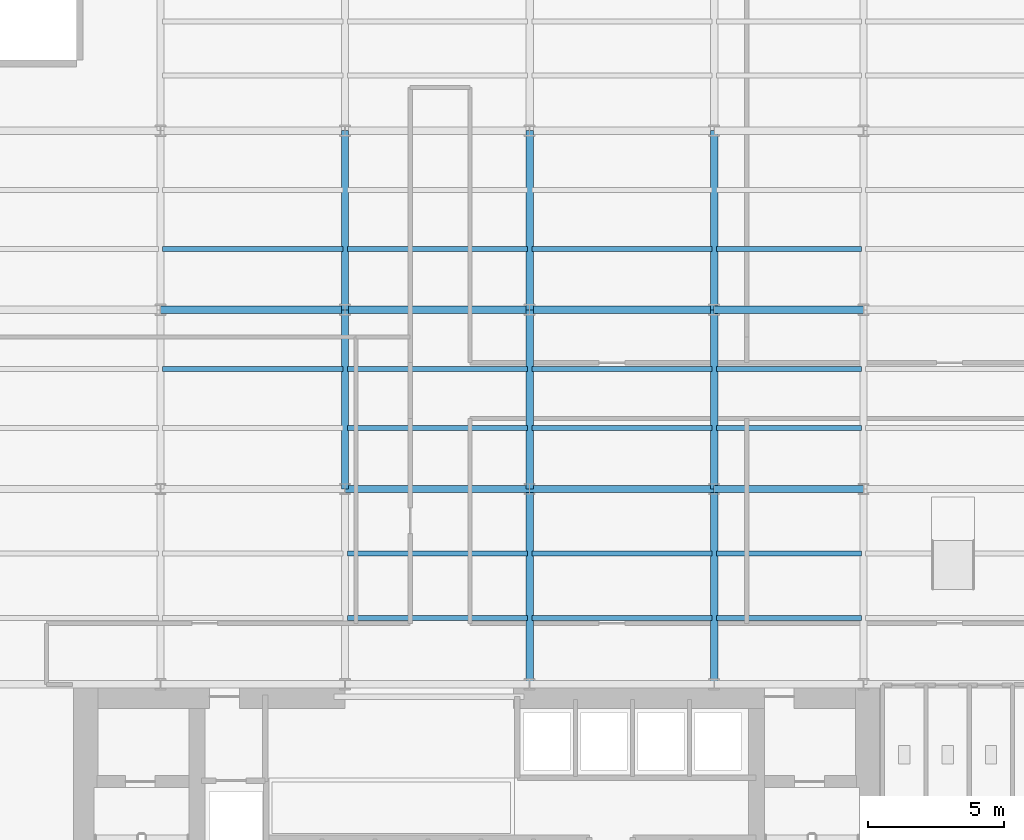
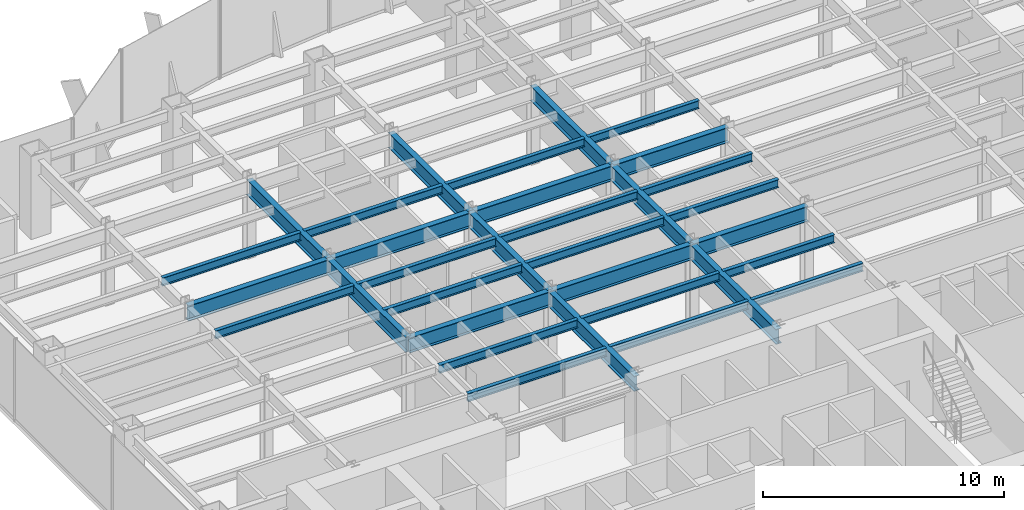
# One storey, part 7 of 35: 32 beams.
"""IFC4 building model written with IfcOpenShell, lengths in metres."""

from ifc_helpers import new_model, si_unit, derived_unit, direction, frame, origin, origin_2d, place, context, subcontext, project, spatial, i_section, extrude, source, transform, mapped, material, material_profile, profile_set, type_object, element, save


model = new_model("IFC4")

# Units and contexts
model_context = context("Model", 3, precision=1e-05, world=origin(), true_north=direction((0.0, 1.0)))
body_context = subcontext(model_context, "Body", "Model", "MODEL_VIEW")
ifc_project = project(units=[si_unit("LENGTHUNIT", "METRE"), si_unit("AREAUNIT", "SQUARE_METRE"), si_unit("VOLUMEUNIT", "CUBIC_METRE"), si_unit("PLANEANGLEUNIT", "RADIAN"), si_unit("MASSUNIT", "GRAM", prefix="KILO"), derived_unit("THERMALTRANSMITTANCEUNIT", [(si_unit("POWERUNIT", "WATT"), 1), (si_unit("LENGTHUNIT", "METRE"), -2), (si_unit("THERMODYNAMICTEMPERATUREUNIT", "KELVIN"), -1)])], contexts=[model_context])

# Site, building, storey
site_placement = place(None, origin())
site = spatial("IfcSite", under=ifc_project, at=site_placement, CompositionType="ELEMENT")
building_placement = place(site_placement, origin())
building = spatial("IfcBuilding", under=site, at=building_placement, Name="Skarnbrae Concourse Arena and Tower", CompositionType="ELEMENT")
storey_placement = place(building_placement, frame((0.0, 0.0, 79.949951171875)))
storey = spatial("IfcBuildingStorey", under=building, at=storey_placement, Name="L19", CompositionType="ELEMENT", Elevation=79.949951171875)

# Beams
ifc_material = material(Name="Steel CSA G40.21 350W", Category="steel")
ifc_material_profile_1 = material_profile(ifc_material, i_section(OverallWidth=0.26806640625, OverallDepth=0.77001953125, WebThickness=0.015625, FlangeThickness=0.025390625, at=origin_2d()), Name="W760X196")
ifc_profile_set_1 = profile_set([ifc_material_profile_1], Name="Steel CSA G40.21 350W")
beam_type_1 = type_object("IfcBeamType", Name="BM-GIRD-W760X196", PredefinedType="BEAM", material=ifc_profile_set_1)
shared_shape_1 = source(origin(), body_context, "Body", "SweptSolid", [
    extrude(i_section(OverallWidth=0.26806640625, OverallDepth=0.77001953125, WebThickness=0.015625, FlangeThickness=0.025390625, at=origin_2d()), origin(), (0.0, 0.0, 1.0), 6.60009765625),
])
for number, where, z_axis, x_axis, name in (
    (1, (14.39990234375, 21.199951171875, 3.51513671875), (0.0, 1.0, 0.0), (-1.0, 0.0, 0.0), "L19 Primary N-S girder X14.4-2"),
    (2, (21.199951171875, 21.199951171875, 3.51513671875), (0.0, 1.0, 0.0), (-1.0, 0.0, 0.0), "L19 Primary N-S girder X21.2-2"),
    (3, (28.0, 21.199951171875, 3.51513671875), (0.0, 1.0, 0.0), (-1.0, 0.0, 0.0), "L19 Primary N-S girder X28.0-2"),
):
    element("IfcBeam", number, at=place(storey_placement, frame(where, z_axis=z_axis, x_axis=x_axis)), inside=storey, type_object=beam_type_1, Name=name, PredefinedType="BEAM", context=body_context, shape_type="MappedRepresentation", body=[
        mapped(shared_shape_1, transform((0.0, 0.0, 0.0))),
    ])
shared_shape_2 = source(origin(), body_context, "Body", "SweptSolid", [
    extrude(i_section(OverallWidth=0.26806640625, OverallDepth=0.77001953125, WebThickness=0.015625, FlangeThickness=0.025390625, at=origin_2d()), origin(), (0.0, 0.0, 1.0), 6.7998046875),
])
beam_placement = place(storey_placement, frame((7.60009765625, 27.800048828125, 3.51513671875), z_axis=(1.0, 0.0, 0.0), x_axis=(0.0, 1.0, 0.0)))
element("IfcBeam", 4, at=beam_placement, inside=storey, type_object=beam_type_1, Name="L19 Primary E-W girder Y27.8-2", PredefinedType="BEAM", context=body_context, shape_type="MappedRepresentation", body=[
    mapped(shared_shape_2, transform((0.0, 0.0, 0.0))),
])
shared_shape_3 = source(origin(), body_context, "Body", "SweptSolid", [
    extrude(i_section(OverallWidth=0.26806640625, OverallDepth=0.77001953125, WebThickness=0.015625, FlangeThickness=0.025390625, at=origin_2d()), origin(), (0.0, 0.0, 1.0), 6.800048828125),
])
for number, where, z_axis, x_axis, name in (
    (5, (14.39990234375, 21.199951171875, 3.51513671875), (1.0, 0.0, 0.0), (0.0, 1.0, 0.0), "L19 Primary E-W girder Y21.2-3"),
    (6, (21.199951171875, 21.199951171875, 3.51513671875), (1.0, 0.0, 0.0), (0.0, 1.0, 0.0), "L19 Primary E-W girder Y21.2-4"),
    (7, (14.39990234375, 27.800048828125, 3.51513671875), (1.0, 0.0, 0.0), (0.0, 1.0, 0.0), "L19 Primary E-W girder Y27.8-3"),
    (8, (21.199951171875, 27.800048828125, 3.51513671875), (1.0, 0.0, 0.0), (0.0, 1.0, 0.0), "L19 Primary E-W girder Y27.8-4"),
):
    element("IfcBeam", number, at=place(storey_placement, frame(where, z_axis=z_axis, x_axis=x_axis)), inside=storey, type_object=beam_type_1, Name=name, PredefinedType="BEAM", context=body_context, shape_type="MappedRepresentation", body=[
        mapped(shared_shape_3, transform((0.0, 0.0, 0.0))),
    ])
shared_shape_4 = source(origin(), body_context, "Body", "SweptSolid", [
    extrude(i_section(OverallWidth=0.26806640625, OverallDepth=0.77001953125, WebThickness=0.015625, FlangeThickness=0.025390625, at=origin_2d()), origin(), (0.0, 0.0, 1.0), 5.5),
])
for number, where, z_axis, x_axis, name in (
    (9, (28.0, 21.199951171875, 3.51513671875), (1.0, 0.0, 0.0), (0.0, 1.0, 0.0), "L19 Primary E-W girder Y21.2-5"),
    (10, (28.0, 27.800048828125, 3.51513671875), (1.0, 0.0, 0.0), (0.0, 1.0, 0.0), "L19 Primary E-W girder Y27.8-5"),
):
    element("IfcBeam", number, at=place(storey_placement, frame(where, z_axis=z_axis, x_axis=x_axis)), inside=storey, type_object=beam_type_1, Name=name, PredefinedType="BEAM", context=body_context, shape_type="MappedRepresentation", body=[
        mapped(shared_shape_4, transform((0.0, 0.0, 0.0))),
    ])
shared_shape_5 = source(origin(), body_context, "Body", "SweptSolid", [
    extrude(i_section(OverallWidth=0.26806640625, OverallDepth=0.77001953125, WebThickness=0.015625, FlangeThickness=0.025390625, at=origin_2d()), origin(), (0.0, 0.0, 1.0), 7.199951171875),
])
for number, where, z_axis, x_axis, name in (
    (11, (21.199951171875, 14.0, 3.51513671875), (0.0, 1.0, 0.0), (-1.0, 0.0, 0.0), "L19 Primary N-S girder X21.2-1"),
    (12, (28.0, 14.0, 3.51513671875), (0.0, 1.0, 0.0), (-1.0, 0.0, 0.0), "L19 Primary N-S girder X28.0-1"),
):
    element("IfcBeam", number, at=place(storey_placement, frame(where, z_axis=z_axis, x_axis=x_axis)), inside=storey, type_object=beam_type_1, Name=name, PredefinedType="BEAM", context=body_context, shape_type="MappedRepresentation", body=[
        mapped(shared_shape_5, transform((0.0, 0.0, 0.0))),
    ])
shared_shape_6 = source(origin(), body_context, "Body", "SweptSolid", [
    extrude(i_section(OverallWidth=0.26806640625, OverallDepth=0.77001953125, WebThickness=0.015625, FlangeThickness=0.025390625, at=origin_2d()), origin(), (0.0, 0.0, 1.0), 6.599853515625),
])
for number, where, z_axis, x_axis, name in (
    (13, (14.39990234375, 27.800048828125, 3.51513671875), (0.0, 1.0, 0.0), (-1.0, 0.0, 0.0), "L19 Primary N-S girder X14.4-3"),
    (14, (21.199951171875, 27.800048828125, 3.51513671875), (0.0, 1.0, 0.0), (-1.0, 0.0, 0.0), "L19 Primary N-S girder X21.2-3"),
    (15, (28.0, 27.800048828125, 3.51513671875), (0.0, 1.0, 0.0), (-1.0, 0.0, 0.0), "L19 Primary N-S girder X28.0-3"),
):
    element("IfcBeam", number, at=place(storey_placement, frame(where, z_axis=z_axis, x_axis=x_axis)), inside=storey, type_object=beam_type_1, Name=name, PredefinedType="BEAM", context=body_context, shape_type="MappedRepresentation", body=[
        mapped(shared_shape_6, transform((0.0, 0.0, 0.0))),
    ])
ifc_material_profile_2 = material_profile(ifc_material, i_section(OverallWidth=0.180908203125, OverallDepth=0.4169921875, WebThickness=0.010986328125, FlangeThickness=0.018310546875, at=origin_2d()), Name="W410X85")
ifc_profile_set_2 = profile_set([ifc_material_profile_2], Name="Steel CSA G40.21 350W")
beam_type_2 = type_object("IfcBeamType", Name="BM-JOIST-W410X85", PredefinedType="JOIST", material=ifc_profile_set_2)
shared_shape_7 = source(origin(), body_context, "Body", "SweptSolid", [
    extrude(i_section(OverallWidth=0.180908203125, OverallDepth=0.4169921875, WebThickness=0.010986328125, FlangeThickness=0.018310546875, at=origin_2d()), origin(), (0.0, 0.0, 1.0), 6.64013671875),
])
for number, where, z_axis, x_axis, name in (
    (16, (14.47998046875, 16.447998046875, 3.691650390625), (1.0, 0.0, 0.0), (0.0, 1.0, 0.0), "L19 Secondary floor joist 1.1.3"),
    (17, (14.47998046875, 18.823974609375, 3.691650390625), (1.0, 0.0, 0.0), (0.0, 1.0, 0.0), "L19 Secondary floor joist 1.2.3"),
    (18, (14.47998046875, 23.444091796875, 3.691650390625), (1.0, 0.0, 0.0), (0.0, 1.0, 0.0), "L19 Secondary floor joist 2.1.3"),
    (19, (7.679931640625, 25.6220703125, 3.691650390625), (1.0, 0.0, 0.0), (0.0, 1.0, 0.0), "L19 Secondary floor joist 2.2.2"),
    (20, (14.47998046875, 25.6220703125, 3.691650390625), (1.0, 0.0, 0.0), (0.0, 1.0, 0.0), "L19 Secondary floor joist 2.2.3"),
    (21, (7.679931640625, 30.0439453125, 3.691650390625), (1.0, 0.0, 0.0), (0.0, 1.0, 0.0), "L19 Secondary floor joist 3.1.2"),
    (22, (14.47998046875, 30.0439453125, 3.691650390625), (1.0, 0.0, 0.0), (0.0, 1.0, 0.0), "L19 Secondary floor joist 3.1.3"),
):
    element("IfcBeam", number, at=place(storey_placement, frame(where, z_axis=z_axis, x_axis=x_axis)), inside=storey, type_object=beam_type_2, Name=name, PredefinedType="JOIST", context=body_context, shape_type="MappedRepresentation", body=[
        mapped(shared_shape_7, transform((0.0, 0.0, 0.0))),
    ])
shared_shape_8 = source(origin(), body_context, "Body", "SweptSolid", [
    extrude(i_section(OverallWidth=0.180908203125, OverallDepth=0.4169921875, WebThickness=0.010986328125, FlangeThickness=0.018310546875, at=origin_2d()), origin(), (0.0, 0.0, 1.0), 6.639892578125),
])
for number, where, z_axis, x_axis, name in (
    (23, (21.280029296875, 16.447998046875, 3.691650390625), (1.0, 0.0, 0.0), (0.0, 1.0, 0.0), "L19 Secondary floor joist 1.1.4"),
    (24, (21.280029296875, 18.823974609375, 3.691650390625), (1.0, 0.0, 0.0), (0.0, 1.0, 0.0), "L19 Secondary floor joist 1.2.4"),
    (25, (21.280029296875, 23.444091796875, 3.691650390625), (1.0, 0.0, 0.0), (0.0, 1.0, 0.0), "L19 Secondary floor joist 2.1.4"),
    (26, (21.280029296875, 25.6220703125, 3.691650390625), (1.0, 0.0, 0.0), (0.0, 1.0, 0.0), "L19 Secondary floor joist 2.2.4"),
    (27, (21.280029296875, 30.0439453125, 3.691650390625), (1.0, 0.0, 0.0), (0.0, 1.0, 0.0), "L19 Secondary floor joist 3.1.4"),
):
    element("IfcBeam", number, at=place(storey_placement, frame(where, z_axis=z_axis, x_axis=x_axis)), inside=storey, type_object=beam_type_2, Name=name, PredefinedType="JOIST", context=body_context, shape_type="MappedRepresentation", body=[
        mapped(shared_shape_8, transform((0.0, 0.0, 0.0))),
    ])
shared_shape_9 = source(origin(), body_context, "Body", "SweptSolid", [
    extrude(i_section(OverallWidth=0.180908203125, OverallDepth=0.4169921875, WebThickness=0.010986328125, FlangeThickness=0.018310546875, at=origin_2d()), origin(), (0.0, 0.0, 1.0), 5.33984375),
])
for number, where, z_axis, x_axis, name in (
    (28, (28.080078125, 16.447998046875, 3.691650390625), (1.0, 0.0, 0.0), (0.0, 1.0, 0.0), "L19 Secondary floor joist 1.1.5"),
    (29, (28.080078125, 18.823974609375, 3.691650390625), (1.0, 0.0, 0.0), (0.0, 1.0, 0.0), "L19 Secondary floor joist 1.2.5"),
    (30, (28.080078125, 23.444091796875, 3.691650390625), (1.0, 0.0, 0.0), (0.0, 1.0, 0.0), "L19 Secondary floor joist 2.1.5"),
    (31, (28.080078125, 25.6220703125, 3.691650390625), (1.0, 0.0, 0.0), (0.0, 1.0, 0.0), "L19 Secondary floor joist 2.2.5"),
    (32, (28.080078125, 30.0439453125, 3.691650390625), (1.0, 0.0, 0.0), (0.0, 1.0, 0.0), "L19 Secondary floor joist 3.1.5"),
):
    element("IfcBeam", number, at=place(storey_placement, frame(where, z_axis=z_axis, x_axis=x_axis)), inside=storey, type_object=beam_type_2, Name=name, PredefinedType="JOIST", context=body_context, shape_type="MappedRepresentation", body=[
        mapped(shared_shape_9, transform((0.0, 0.0, 0.0))),
    ])

save(model, "model.ifc")
